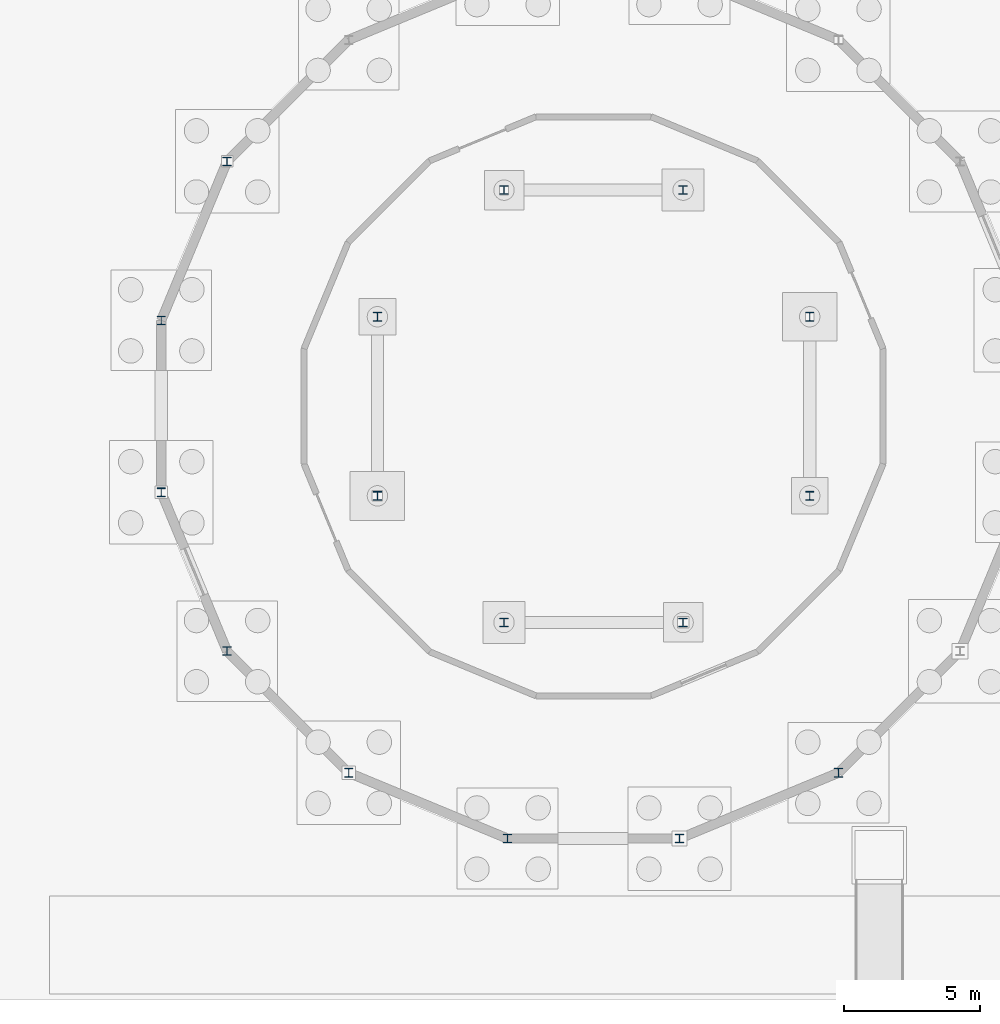
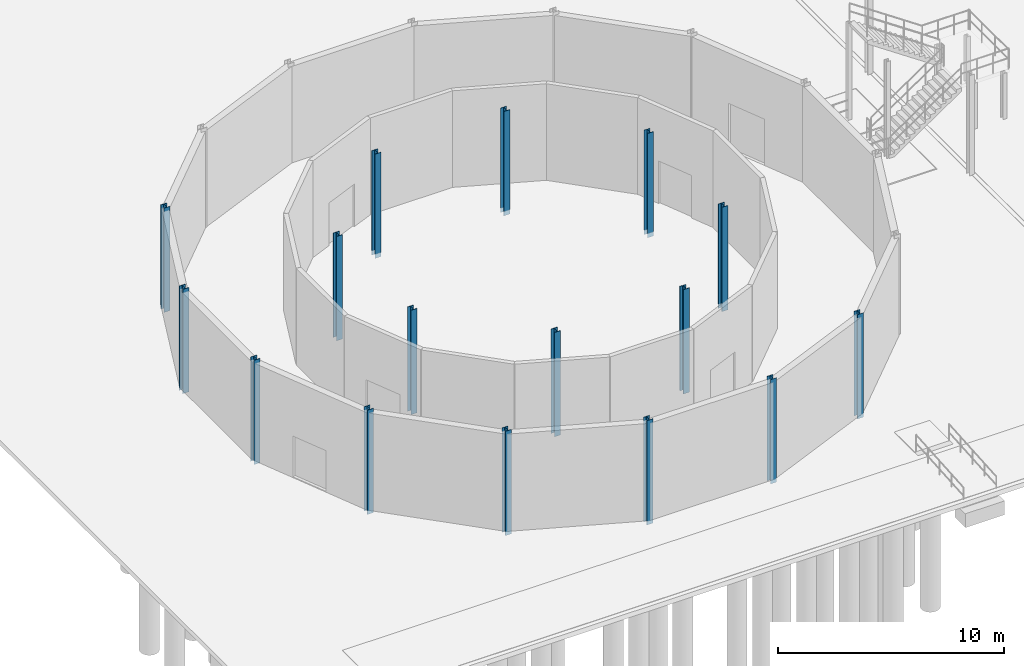
# One storey, part 4 of 180: 16 columns.
"""IFC4 building model written with IfcOpenShell, lengths in metres."""

import ifcopenshell
import ifcopenshell.guid

model = None  # the IFC model being written
_history = None  # IfcOwnerHistory: only IFC2X3 demands one
_inside = {}  # id of a spatial element -> (the spatial element, [elements in it])
_under = {}  # id of a project, library or spatial element -> (it, [spatial elements below it])
_declared = {}  # id of a project -> (the project, [libraries it declares])
_typed = {}  # id of a type object -> (the type object, [elements of that type])
_made_of = {}  # id of a material, layer set ... -> (it, [elements and type objects made of it])


def new_model(schema):
    """Start an empty IFC model of exactly this schema.

    Asked for "IFC4X3", IfcOpenShell would pick the latest addendum, in which some entities
    have other attributes; the version numbers below select the first issue.
    IFC2X3 requires an IfcOwnerHistory on every rooted entity: one is made here for all.
    """
    global model, _history
    if schema == "IFC4X3":
        model = ifcopenshell.file(schema_version=(4, 3, 0, 0))
    else:
        model = ifcopenshell.file(schema=schema)
    _inside.clear()
    _under.clear()
    _declared.clear()
    _typed.clear()
    _made_of.clear()
    _history = None
    if model.schema == "IFC2X3":
        org = make("IfcOrganization", Name="unknown")
        user = make(
            "IfcPersonAndOrganization",
            ThePerson=make("IfcPerson", FamilyName="unknown"),
            TheOrganization=org,
        )
        app = make(
            "IfcApplication",
            ApplicationDeveloper=org,
            Version="unknown",
            ApplicationFullName="unknown",
            ApplicationIdentifier="unknown",
        )
        _history = make(
            "IfcOwnerHistory",
            OwningUser=user,
            OwningApplication=app,
            ChangeAction="ADDED",
            CreationDate=0,
        )
    return model


def make(cls, **values):
    """One entity of the class cls with the attributes given. An attribute that is None is left unset."""
    return model.create_entity(
        cls, **{name: value for name, value in values.items() if value is not None}
    )


def rooted(cls, **values):
    """An entity with a GlobalId (a new one), such as an element, a storey or a relation."""
    return make(cls, GlobalId=ifcopenshell.guid.new(), OwnerHistory=_history, **values)


def si_unit(unit_type, name, prefix=None):
    """IfcSIUnit, for example si_unit("LENGTHUNIT", "METRE", prefix="MILLI")."""
    return make("IfcSIUnit", UnitType=unit_type, Prefix=prefix, Name=name)


def assignment(units):
    """IfcUnitAssignment: the units of a project."""
    return None if units is None else make("IfcUnitAssignment", Units=units)


def point(xyz):
    """IfcCartesianPoint."""
    return None if xyz is None else make("IfcCartesianPoint", Coordinates=xyz)


def direction(xyz):
    """IfcDirection."""
    return None if xyz is None else make("IfcDirection", DirectionRatios=xyz)


def frame(location, z_axis=None, x_axis=None):
    """IfcAxis2Placement3D, a coordinate frame: its origin and axes. An axis left out is left unset."""
    return make(
        "IfcAxis2Placement3D",
        Location=point(location),
        Axis=direction(z_axis),
        RefDirection=direction(x_axis),
    )


def frame_2d(location, x_axis=None):
    """IfcAxis2Placement2D, a coordinate frame in the plane: its origin and x axis."""
    return make(
        "IfcAxis2Placement2D", Location=point(location), RefDirection=direction(x_axis)
    )


def origin():
    """The frame at (0, 0, 0) with its axes left unset."""
    return frame((0.0, 0.0, 0.0))


def origin_2d():
    """The frame at (0, 0) in the plane with its x axis left unset."""
    return frame_2d((0.0, 0.0))


def place(relative_to, where):
    """IfcLocalPlacement: puts the frame where relative to a parent placement (None: the world)."""
    return make(
        "IfcLocalPlacement", PlacementRelTo=relative_to, RelativePlacement=where
    )


def context(
    kind, dimensions, precision=None, world=None, true_north=None, identifier=None
):
    """IfcGeometricRepresentationContext, for example the 3D "Model" context."""
    return make(
        "IfcGeometricRepresentationContext",
        ContextIdentifier=identifier,
        ContextType=kind,
        CoordinateSpaceDimension=dimensions,
        Precision=precision,
        WorldCoordinateSystem=world,
        TrueNorth=true_north,
    )


def subcontext(parent, identifier, kind, view, scale=None):
    """IfcGeometricRepresentationSubContext, for example "Body" below "Model"."""
    return make(
        "IfcGeometricRepresentationSubContext",
        ContextIdentifier=identifier,
        ContextType=kind,
        ParentContext=parent,
        TargetScale=scale,
        TargetView=view,
    )


def project(units=None, contexts=None):
    """IfcProject with its units and contexts."""
    return rooted(
        "IfcProject",
        Name="project",
        RepresentationContexts=contexts,
        UnitsInContext=assignment(units),
    )


def spatial(cls, under=None, at=None, **own):
    """A site, building, storey or space (cls), placed at a placement, below another one or the project."""
    s = rooted(cls, ObjectPlacement=at, **own)
    if under is not None:
        _under.setdefault(under.id(), (under, []))[1].append(s)
    return s


def profile(cls, at=None, kind="AREA", **sizes):
    """A parametric profile (cls). Its sizes go by their IFC names, for example OverallWidth=200.0."""
    return make(cls, ProfileType=kind, Position=at, **sizes)


def i_section(**sizes):
    """IfcIShapeProfileDef."""
    return profile("IfcIShapeProfileDef", **sizes)


def extrude(swept, where, along, depth):
    """IfcExtrudedAreaSolid: the profile swept, set in the frame where, extruded along a direction by depth."""
    return make(
        "IfcExtrudedAreaSolid",
        SweptArea=swept,
        Position=where,
        ExtrudedDirection=direction(along),
        Depth=depth,
    )


def shape(context_of_items, identifier, shape_type, items):
    """IfcShapeRepresentation: the items that make up one representation, for example the "Body"."""
    return make(
        "IfcShapeRepresentation",
        ContextOfItems=context_of_items,
        RepresentationIdentifier=identifier,
        RepresentationType=shape_type,
        Items=items,
    )


def material(Name=None, Category=None):
    """IfcMaterial."""
    return make("IfcMaterial", Name=Name, Category=Category)


def material_profile(
    of_material, cross_section, Name=None, Category=None, Priority=None
):
    """IfcMaterialProfile: a cross section and its material."""
    return make(
        "IfcMaterialProfile",
        Name=Name,
        Material=of_material,
        Profile=cross_section,
        Priority=Priority,
        Category=Category,
    )


def profile_set(profiles, Name=None, composite=None):
    """IfcMaterialProfileSet."""
    return make(
        "IfcMaterialProfileSet",
        Name=Name,
        MaterialProfiles=profiles,
        CompositeProfile=composite,
    )


def made_of(thing, what):
    """Note that an element or type object is made of a material, layer set ...; save() writes the relation."""
    if what is not None:
        _made_of.setdefault(what.id(), (what, []))[1].append(thing)
    return thing


def type_object(cls, material=None, **own):
    """A type object (cls), such as IfcWallType, which elements share."""
    return made_of(rooted(cls, **own), material)


def element(
    cls,
    number,
    at=None,
    inside=None,
    cuts=None,
    type_object=None,
    material=None,
    context=None,
    identifier="Body",
    shape_type=None,
    held_by="IfcProductDefinitionShape",
    body=None,
    shapes=None,
    **own,
):
    """One element of the class cls, such as IfcWall. Its Tag is "e" and its number.

    at: its placement. inside: the storey or other place that contains it. cuts: it is an
    opening in that element (IfcRelVoidsElement). A single representation is given by context,
    identifier, shape_type and body (its items); several are given by shapes. held_by: the class
    of the entity that holds the representations. save() writes the other relations.
    """
    e = rooted(cls, Tag="e%d" % number, ObjectPlacement=at, **own)
    if body is not None:
        shapes = [shape(context, identifier, shape_type, body)]
    if shapes is not None:
        e.Representation = make(held_by, Representations=shapes)
    if inside is not None:
        _inside.setdefault(inside.id(), (inside, []))[1].append(e)
    if cuts is not None:
        rooted(
            "IfcRelVoidsElement", RelatingBuildingElement=cuts, RelatedOpeningElement=e
        )
    if type_object is not None:
        _typed.setdefault(type_object.id(), (type_object, []))[1].append(e)
    return made_of(e, material)


def aggregate(whole, parts):
    """IfcRelAggregates: a whole, such as a stair, and the parts it consists of."""
    return rooted("IfcRelAggregates", RelatingObject=whole, RelatedObjects=parts)


def save(model, path):
    """Write the relations noted so far, then the file.

    IfcRelAggregates (storeys below a building ...), IfcRelContainedInSpatialStructure (elements
    in a storey), IfcRelDefinesByType, IfcRelAssociatesMaterial and IfcRelDeclares: one each for
    every whole, place, type object, material and project.
    """
    for whole, parts in _under.values():
        aggregate(whole, parts)
    for where, things in _inside.values():
        rooted(
            "IfcRelContainedInSpatialStructure",
            RelatedElements=things,
            RelatingStructure=where,
        )
    for kind, things in _typed.values():
        rooted("IfcRelDefinesByType", RelatedObjects=things, RelatingType=kind)
    for what, things in _made_of.values():
        rooted("IfcRelAssociatesMaterial", RelatedObjects=things, RelatingMaterial=what)
    for by, libraries in _declared.values():
        rooted("IfcRelDeclares", RelatingContext=by, RelatedDefinitions=libraries)
    model.write(path)


model = new_model("IFC4")

# Units and contexts
model_context = context("Model", 3, precision=1e-05, world=origin(), true_north=direction((0.0, 1.0)))
body_context = subcontext(model_context, "Body", "Model", "MODEL_VIEW")
ifc_project = project(units=[si_unit("LENGTHUNIT", "METRE"), si_unit("AREAUNIT", "SQUARE_METRE"), si_unit("VOLUMEUNIT", "CUBIC_METRE"), si_unit("PLANEANGLEUNIT", "RADIAN"), si_unit("MASSUNIT", "GRAM", prefix="KILO"), si_unit("THERMODYNAMICTEMPERATUREUNIT", "KELVIN"), si_unit("POWERUNIT", "WATT")], contexts=[model_context])

# Site, building, storey
site_placement = place(None, origin())
site = spatial("IfcSite", under=ifc_project, at=site_placement, CompositionType="ELEMENT")
building_placement = place(site_placement, origin())
building = spatial("IfcBuilding", under=site, at=building_placement, Name="Tallowbark Science Centre", CompositionType="ELEMENT")
storey_placement = place(building_placement, origin())
storey = spatial("IfcBuildingStorey", under=building, at=storey_placement, Name="L00", CompositionType="ELEMENT", Elevation=0.0)

# Columns
ifc_material = material(Name="Structural Steel Grade 300PLUS (300 MPa)", Category="steel")
ifc_material_profile_1 = material_profile(ifc_material, i_section(OverallWidth=0.30908203125, OverallDepth=0.320556640625, WebThickness=0.013916015625, FlangeThickness=0.021728515625, FilletRadius=0.0166015625, at=origin_2d()), Name="310UC137")
ifc_profile_set_1 = profile_set([ifc_material_profile_1], Name="Structural Steel Grade 300PLUS (300 MPa)")
column_type_1 = type_object("IfcColumnType", Name="COL-UC310B", PredefinedType="COLUMN", material=ifc_profile_set_1)
for number, where, z_axis, x_axis, name in (
    (1, (30.4453125, 21.291015625, -0.239990234375), (0.0, 0.0, 1.0), (1.0, 0.0, 0.0), "Column DRM-I01 L00"),
    (2, (25.791015625, 25.9453125, -0.239990234375), (0.0, 0.0, 1.0), (1.0, 0.0, 0.0), "Column DRM-I02 L00"),
    (3, (19.208984375, 25.9453125, -0.239990234375), (0.0, 0.0, 1.0), (1.0, 0.0, 0.0), "Column DRM-I03 L00"),
    (4, (14.5546875, 21.291015625, -0.239990234375), (0.0, 0.0, 1.0), (1.0, 0.0, 0.0), "Column DRM-I04 L00"),
    (5, (14.5546875, 14.708984375, -0.239990234375), (0.0, 0.0, 1.0), (1.0, 0.0, 0.0), "Column DRM-I05 L00"),
    (6, (19.208984375, 10.0546875, -0.239990234375), (0.0, 0.0, 1.0), (1.0, 0.0, 0.0), "Column DRM-I06 L00"),
    (7, (25.791015625, 10.0546875, -0.239990234375), (0.0, 0.0, 1.0), (1.0, 0.0, 0.0), "Column DRM-I07 L00"),
    (8, (30.4453125, 14.708984375, -0.239990234375), (0.0, 0.0, 1.0), (1.0, 0.0, 0.0), "Column DRM-I08 L00"),
):
    element("IfcColumn", number, at=place(storey_placement, frame(where, z_axis=z_axis, x_axis=x_axis)), inside=storey, type_object=column_type_1, Name=name, PredefinedType="COLUMN", context=body_context, shape_type="SweptSolid", body=[
        extrude(i_section(OverallWidth=0.30908203125, OverallDepth=0.320556640625, WebThickness=0.013916015625, FlangeThickness=0.021728515625, FilletRadius=0.0166015625, at=origin_2d()), origin(), (0.0, 0.0, 1.0), 5.639892578125),
    ])
ifc_material_profile_2 = material_profile(ifc_material, i_section(OverallWidth=0.307373046875, OverallDepth=0.314697265625, WebThickness=0.011962890625, FlangeThickness=0.018798828125, FilletRadius=0.0166015625, at=origin_2d()), Name="310UC118")
ifc_profile_set_2 = profile_set([ifc_material_profile_2], Name="Structural Steel Grade 300PLUS (300 MPa)")
column_type_2 = type_object("IfcColumnType", Name="PIL-UC310", PredefinedType="PILASTER", material=ifc_profile_set_2)
for number, where, z_axis, x_axis, name in (
    (9, (9.0302734375, 27.000244140625, -0.239990234375), (0.0, 0.0, 1.0), (1.0, 0.0, 0.0), "Column DRM-P07 L00"),
    (10, (6.611328125, 21.160400390625, -0.239990234375), (0.0, 0.0, 1.0), (1.0, 0.0, 0.0), "Column DRM-P08 L00"),
    (11, (6.611328125, 14.839599609375, -0.239990234375), (0.0, 0.0, 1.0), (1.0, 0.0, 0.0), "Column DRM-P09 L00"),
    (12, (9.0302734375, 8.999755859375, -0.239990234375), (0.0, 0.0, 1.0), (1.0, 0.0, 0.0), "Column DRM-P10 L00"),
    (13, (13.499755859375, 4.5302734375, -0.239990234375), (0.0, 0.0, 1.0), (1.0, 0.0, 0.0), "Column DRM-P11 L00"),
    (14, (19.339599609375, 2.111328125, -0.239990234375), (0.0, 0.0, 1.0), (1.0, 0.0, 0.0), "Column DRM-P12 L00"),
    (15, (25.660400390625, 2.111328125, -0.239990234375), (0.0, 0.0, 1.0), (1.0, 0.0, 0.0), "Column DRM-P13 L00"),
    (16, (31.500244140625, 4.5302734375, -0.239990234375), (0.0, 0.0, 1.0), (1.0, 0.0, 0.0), "Column DRM-P14 L00"),
):
    element("IfcColumn", number, at=place(storey_placement, frame(where, z_axis=z_axis, x_axis=x_axis)), inside=storey, type_object=column_type_2, Name=name, PredefinedType="PILASTER", context=body_context, shape_type="SweptSolid", body=[
        extrude(i_section(OverallWidth=0.307373046875, OverallDepth=0.314697265625, WebThickness=0.011962890625, FlangeThickness=0.018798828125, FilletRadius=0.0166015625, at=origin_2d()), origin(), (0.0, 0.0, 1.0), 5.639892578125),
    ])

save(model, "model.ifc")
